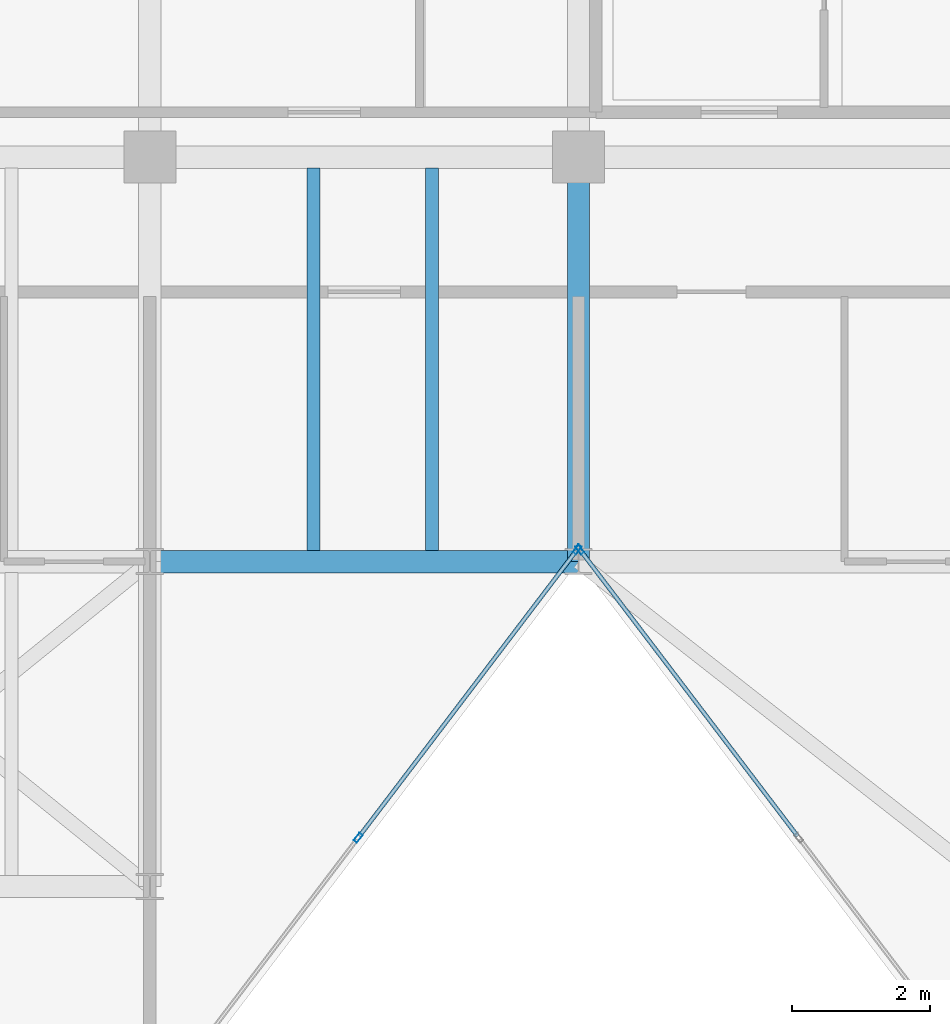
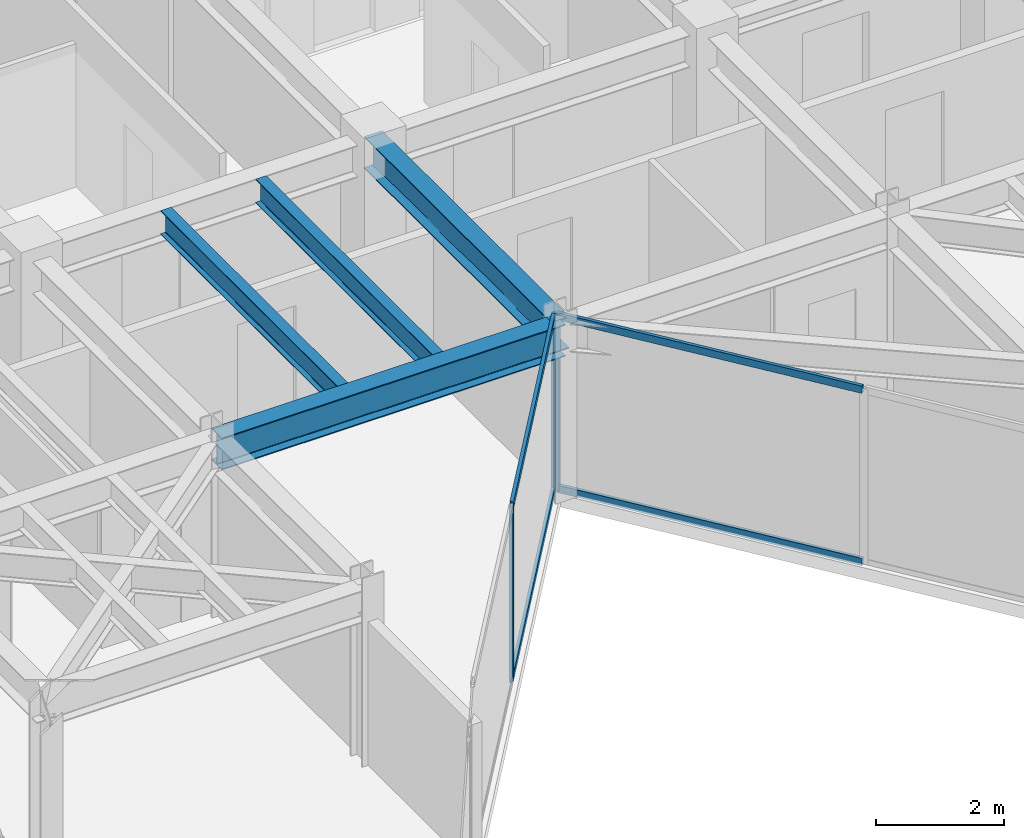
# One storey, part 4 of 17: 7 members, 4 beams, 2 elements without a shape of their own.
"""IFC4 building model written with IfcOpenShell, lengths in metres."""

from ifc_helpers import new_model, si_unit, direction, frame, origin, origin_2d, place, context, subcontext, project, spatial, hollow_rectangle, i_section, extrude, material, layer, layer_set, material_profile, profile_set, type_object, element, aggregate, save


model = new_model("IFC4")

# Units and contexts
model_context = context("Model", 3, precision=1e-05, world=origin(), true_north=direction((0.0, 1.0)))
body_context = subcontext(model_context, "Body", "Model", "MODEL_VIEW")
ifc_project = project(units=[si_unit("LENGTHUNIT", "METRE"), si_unit("AREAUNIT", "SQUARE_METRE"), si_unit("VOLUMEUNIT", "CUBIC_METRE"), si_unit("PLANEANGLEUNIT", "RADIAN"), si_unit("MASSUNIT", "GRAM", prefix="KILO")], contexts=[model_context])

# Site, building, storey
site_placement = place(None, origin())
site = spatial("IfcSite", under=ifc_project, at=site_placement, CompositionType="ELEMENT")
building_placement = place(site_placement, origin())
building = spatial("IfcBuilding", under=site, at=building_placement, Name="Kravanh Interchange Tower", CompositionType="ELEMENT")
storey_placement = place(building_placement, frame((0.0, 0.0, 293.10009765625)))
storey = spatial("IfcBuildingStorey", under=building, at=storey_placement, Name="L72", CompositionType="ELEMENT", Elevation=293.10009765625)

# Curtain wall, member
ifc_material_1 = material(Name="Anodised Bronze Aluminium", Category="aluminium")
ifc_layer = layer(ifc_material_1, 0.179931640625)
ifc_layer_set = layer_set([ifc_layer], Name="Unitised Curtain Wall System CW-HTL Luxury Hotel")
curtain_wall_type = type_object("IfcCurtainWallType", Name="Unitised Curtain Wall System CW-HTL Luxury Hotel", PredefinedType="NOTDEFINED", material=ifc_layer_set)
curtain_wall_1_placement = place(storey_placement, origin())
curtain_wall_1 = element("IfcCurtainWall", 1, at=curtain_wall_1_placement, inside=storey, type_object=curtain_wall_type, Name="L72 Unitised Curtain Wall CW-L72-04", PredefinedType="NOTDEFINED")
ifc_material_2 = material(Name="Anodised Bronze Aluminium", Category="aluminium")
ifc_material_profile_1 = material_profile(ifc_material_2, hollow_rectangle(XDim=0.06005859375, YDim=0.139892578125, WallThickness=0.00390625, at=origin_2d()), Name="ALU60X140X4")
ifc_profile_set_1 = profile_set([ifc_material_profile_1], Name="Anodised Bronze Aluminium")
member_type_1 = type_object("IfcMemberType", Name="Curtain Wall Mullion ALU60X140X4 Bronze", PredefinedType="MULLION", material=ifc_profile_set_1)
member_1_placement = place(storey_placement, frame((44.818115234375, 31.67431640625, 0.0), z_axis=(0.0, 0.0, 1.0), x_axis=(-0.79616243806, -0.605082946564, 0.0)))
member_1 = element("IfcMember", 2, at=member_1_placement, type_object=member_type_1, Name="CW-HTL mullion 4", PredefinedType="MULLION", context=body_context, shape_type="SweptSolid", body=[
    extrude(hollow_rectangle(XDim=0.06005859375, YDim=0.139892578125, WallThickness=0.00390625, at=origin_2d()), origin(), (0.0, 0.0, 1.0), 3.349853515625),
])

# Curtain wall, members
curtain_wall_2_placement = place(storey_placement, origin())
curtain_wall_2 = element("IfcCurtainWall", 3, at=curtain_wall_2_placement, inside=storey, type_object=curtain_wall_type, Name="L72 Unitised Curtain Wall CW-L72-05", PredefinedType="NOTDEFINED")
member_2_placement = place(storey_placement, frame((44.78173828125, 31.67431640625, 0.0), z_axis=(0.0, 0.0, 1.0), x_axis=(0.79616243806, -0.605082946564, 0.0)))
member_2 = element("IfcMember", 4, at=member_2_placement, type_object=member_type_1, Name="CW-HTL mullion 1", PredefinedType="MULLION", context=body_context, shape_type="SweptSolid", body=[
    extrude(hollow_rectangle(XDim=0.06005859375, YDim=0.139892578125, WallThickness=0.00390625, at=origin_2d()), origin(), (0.0, 0.0, 1.0), 3.349853515625),
])
member_3_placement = place(storey_placement, frame((41.613525390625, 27.505615234375, 0.0), z_axis=(0.0, 0.0, 1.0), x_axis=(0.79616243806, -0.605082946564, 0.0)))
member_3 = element("IfcMember", 5, at=member_3_placement, type_object=member_type_1, Name="CW-HTL mullion 2", PredefinedType="MULLION", context=body_context, shape_type="SweptSolid", body=[
    extrude(hollow_rectangle(XDim=0.06005859375, YDim=0.139892578125, WallThickness=0.00390625, at=origin_2d()), origin(), (0.0, 0.0, 1.0), 3.349853515625),
])

# Member
ifc_material_3 = material(Name="Anodised Bronze Aluminium", Category="aluminium")
ifc_material_profile_2 = material_profile(ifc_material_3, hollow_rectangle(XDim=0.06005859375, YDim=0.139892578125, WallThickness=0.00390625, at=origin_2d()), Name="ALU60X140X4")
ifc_profile_set_2 = profile_set([ifc_material_profile_2], Name="Anodised Bronze Aluminium")
member_type_2 = type_object("IfcMemberType", Name="Curtain Wall Transom ALU60X140X4 Bronze", PredefinedType="USERDEFINED", material=ifc_profile_set_2)
member_4_placement = place(storey_placement, frame((47.96826171875, 27.529296875, 0.02978515625), z_axis=(-0.605036627368, 0.796197638494, 0.0), x_axis=(-0.796197638494, -0.605036627368, 0.0)))
member_4 = element("IfcMember", 6, at=member_4_placement, type_object=member_type_2, Name="CW-HTL transom 3.1", ObjectType="TRANSOM", PredefinedType="USERDEFINED", context=body_context, shape_type="SweptSolid", body=[
    extrude(hollow_rectangle(XDim=0.06005859375, YDim=0.139892578125, WallThickness=0.00390625, at=origin_2d()), origin(), (0.0, 0.0, 1.0), 5.17626953125),
])

member_5_placement = place(storey_placement, frame((47.96826171875, 27.529296875, 3.31982421875), z_axis=(-0.605036627368, 0.796197638494, 0.0), x_axis=(-0.796197638494, -0.605036627368, 0.0)))
member_5 = element("IfcMember", 7, at=member_5_placement, type_object=member_type_2, Name="CW-HTL transom 3.2", ObjectType="TRANSOM", PredefinedType="USERDEFINED", context=body_context, shape_type="SweptSolid", body=[
    extrude(hollow_rectangle(XDim=0.06005859375, YDim=0.139892578125, WallThickness=0.00390625, at=origin_2d()), origin(), (0.0, 0.0, 1.0), 5.17626953125),
])

aggregate(curtain_wall_1, [member_1, member_4, member_5])

member_6_placement = place(storey_placement, frame((44.763671875, 31.650634765625, 0.02978515625), z_axis=(-0.605066525627, -0.796174917695, 0.0), x_axis=(0.796174917695, -0.605066525627, 0.0)))
member_6 = element("IfcMember", 8, at=member_6_placement, type_object=member_type_2, Name="CW-HTL transom 1.1", ObjectType="TRANSOM", PredefinedType="USERDEFINED", context=body_context, shape_type="SweptSolid", body=[
    extrude(hollow_rectangle(XDim=0.06005859375, YDim=0.139892578125, WallThickness=0.00390625, at=origin_2d()), origin(), (0.0, 0.0, 1.0), 5.176513671875),
])

member_7_placement = place(storey_placement, frame((44.763671875, 31.650634765625, 3.31982421875), z_axis=(-0.605066525627, -0.796174917695, 0.0), x_axis=(0.796174917695, -0.605066525627, 0.0)))
member_7 = element("IfcMember", 9, at=member_7_placement, type_object=member_type_2, Name="CW-HTL transom 1.2", ObjectType="TRANSOM", PredefinedType="USERDEFINED", context=body_context, shape_type="SweptSolid", body=[
    extrude(hollow_rectangle(XDim=0.06005859375, YDim=0.139892578125, WallThickness=0.00390625, at=origin_2d()), origin(), (0.0, 0.0, 1.0), 5.176513671875),
])

aggregate(curtain_wall_2, [member_2, member_3, member_6, member_7])

# Beams
ifc_material_4 = material(Name="Structural Steel S355", Category="steel")
ifc_material_profile_3 = material_profile(ifc_material_4, i_section(OverallWidth=0.323974609375, OverallDepth=0.611083984375, WebThickness=0.0126953125, FlangeThickness=0.01904296875, FilletRadius=0.02197265625, at=origin_2d()), Name="W24X104")
ifc_profile_set_3 = profile_set([ifc_material_profile_3], Name="Structural Steel S355")
beam_type_1 = type_object("IfcBeamType", Name="Floor Beam W24X104 Structural Steel S355", PredefinedType="BEAM", material=ifc_profile_set_3)
beam_1_placement = place(storey_placement, frame((44.800048828125, 31.5, 3.04443359375), z_axis=(0.0, 1.0, 0.0), x_axis=(-1.0, 0.0, 0.0)))
element("IfcBeam", 10, at=beam_1_placement, inside=storey, type_object=beam_type_1, Name="L72 Primary Floor Girder 1", PredefinedType="BEAM", context=body_context, shape_type="SweptSolid", body=[
    extrude(i_section(OverallWidth=0.323974609375, OverallDepth=0.611083984375, WebThickness=0.0126953125, FlangeThickness=0.01904296875, FilletRadius=0.02197265625, at=origin_2d()), origin(), (0.0, 0.0, 1.0), 5.85009765625),
])
beam_2_placement = place(storey_placement, frame((44.800048828125, 31.5, 3.04443359375), z_axis=(-1.0, 0.0, 0.0), x_axis=(0.0, -1.0, 0.0)))
element("IfcBeam", 11, at=beam_2_placement, inside=storey, type_object=beam_type_1, Name="L72 Primary Floor Girder 3", PredefinedType="BEAM", context=body_context, shape_type="SweptSolid", body=[
    extrude(i_section(OverallWidth=0.323974609375, OverallDepth=0.611083984375, WebThickness=0.0126953125, FlangeThickness=0.01904296875, FilletRadius=0.02197265625, at=origin_2d()), origin(), (0.0, 0.0, 1.0), 6.199951171875),
])
ifc_material_5 = material(Name="Structural Steel S355", Category="steel")
ifc_material_profile_4 = material_profile(ifc_material_5, i_section(OverallWidth=0.18994140625, OverallDepth=0.45703125, WebThickness=0.009033203125, FlangeThickness=0.014404296875, FilletRadius=0.01806640625, at=origin_2d()), Name="W18X50")
ifc_profile_set_4 = profile_set([ifc_material_profile_4], Name="Structural Steel S355")
beam_type_2 = type_object("IfcBeamType", Name="Floor Joist W18X50 Structural Steel S355", PredefinedType="JOIST", material=ifc_profile_set_4)
for number, where, z_axis, x_axis, name in (
    (12, (40.965087890625, 31.656982421875, 3.121337890625), (0.0, 1.0, 0.0), (-1.0, 0.0, 0.0), "L72 Secondary Floor Joist 11"),
    (13, (42.679931640625, 31.656982421875, 3.121337890625), (0.0, 1.0, 0.0), (-1.0, 0.0, 0.0), "L72 Secondary Floor Joist 12"),
):
    element("IfcBeam", number, at=place(storey_placement, frame(where, z_axis=z_axis, x_axis=x_axis)), inside=storey, type_object=beam_type_2, Name=name, PredefinedType="JOIST", context=body_context, shape_type="SweptSolid", body=[
        extrude(i_section(OverallWidth=0.18994140625, OverallDepth=0.45703125, WebThickness=0.009033203125, FlangeThickness=0.014404296875, FilletRadius=0.01806640625, at=origin_2d()), origin(), (0.0, 0.0, 1.0), 5.5361328125),
    ])

save(model, "model.ifc")
